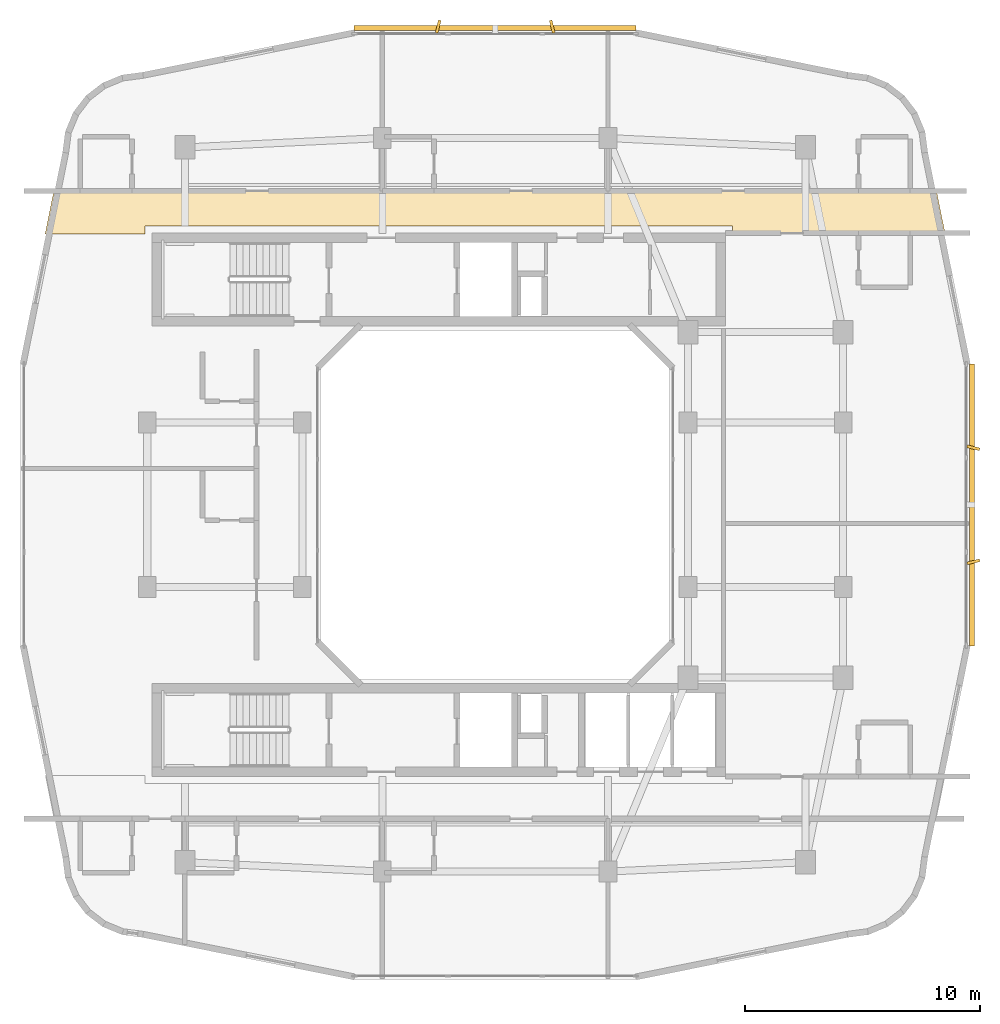
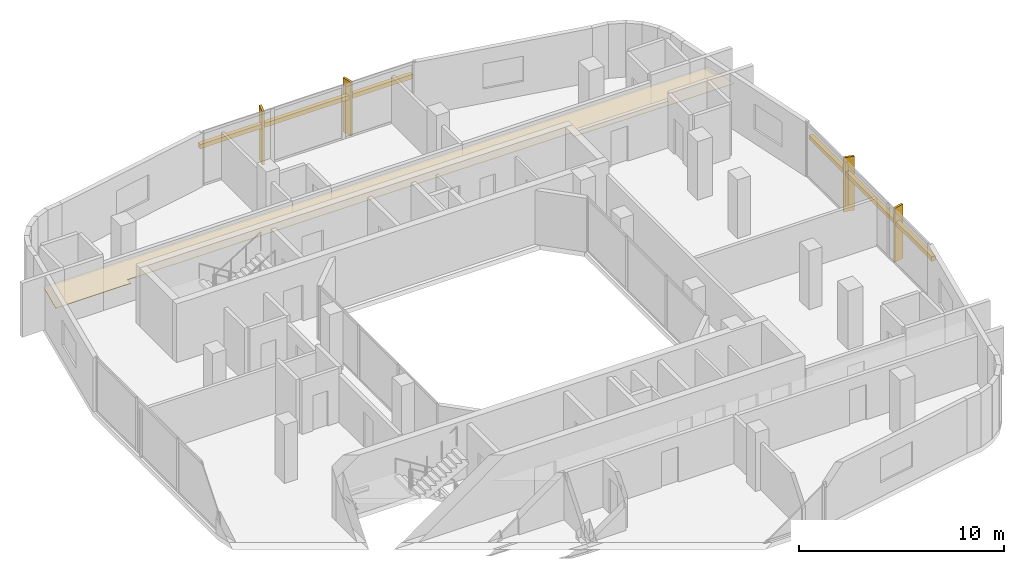
# One storey, part 14 of 14: 6 shading devices, 1 covering.
"""IFC4 building model written with IfcOpenShell, lengths in metres."""

from ifc_helpers import new_model, si_unit, derived_unit, direction, frame, origin, origin_2d, place, context, subcontext, project, spatial, polyline, rectangle, outline, extrude, material, layer, layer_set, type_object, element, save


model = new_model("IFC4")

# Units and contexts
model_context = context("Model", 3, precision=1e-05, world=origin(), true_north=direction((0.0, 1.0)))
body_context = subcontext(model_context, "Body", "Model", "MODEL_VIEW")
ifc_project = project(units=[si_unit("LENGTHUNIT", "METRE"), si_unit("AREAUNIT", "SQUARE_METRE"), si_unit("VOLUMEUNIT", "CUBIC_METRE"), si_unit("PLANEANGLEUNIT", "RADIAN"), si_unit("MASSUNIT", "GRAM", prefix="KILO"), derived_unit("THERMALTRANSMITTANCEUNIT", [(si_unit("POWERUNIT", "WATT"), 1), (si_unit("LENGTHUNIT", "METRE"), -2), (si_unit("THERMODYNAMICTEMPERATUREUNIT", "KELVIN"), -1)])], contexts=[model_context])

# Site, building, storey
site_placement = place(None, origin())
site = spatial("IfcSite", under=ifc_project, at=site_placement, CompositionType="ELEMENT")
building_placement = place(site_placement, origin())
building = spatial("IfcBuilding", under=site, at=building_placement, Name="Kivonza Crest Hotel", CompositionType="ELEMENT")
storey_placement = place(building_placement, frame((0.0, 0.0, 148.5)))
storey = spatial("IfcBuildingStorey", under=building, at=storey_placement, Name="L40", CompositionType="ELEMENT", Elevation=148.5)

# Covering
ifc_material_1 = material(Name="Moisture-resistant gypsum plasterboard ceiling", Category="gypsum")
ifc_layer = layer(ifc_material_1, 0.030029296875)
ifc_layer_set = layer_set([ifc_layer], Name="Moisture-resistant gypsum plasterboard ceiling")
covering_type = type_object("IfcCoveringType", Name="CV-CEIL-GYP", PredefinedType="CEILING", material=ifc_layer_set)
covering_placement = place(storey_placement, frame((0.0, 0.0, 2.449951171875)))
element("IfcCovering", 1, at=covering_placement, inside=storey, type_object=covering_type, Name="L40 Hotel North Guest Corridor suspended ceiling", PredefinedType="CEILING", context=body_context, shape_type="SweptSolid", body=[
    extrude(outline(polyline([(2.235107421875, 38.389892578125), (1.85791015625, 36.52001953125), (6.10009765625, 36.52001953125), (6.10009765625, 36.860107421875), (31.10009765625, 36.860107421875), (31.10009765625, 36.52001953125), (40.14208984375, 36.52001953125), (39.764892578125, 38.389892578125), (2.235107421875, 38.389892578125)])), origin(), (0.0, 0.0, 1.0), 0.030029296875),
])

# Shading devices
ifc_material_2 = material(Name="Kiln-fired Nairobi red-ochre terracotta", Category="masonry")
shading_device_type_1 = type_object("IfcShadingDeviceType", Name="SH-BAGUETTE-300", PredefinedType="USERDEFINED", material=ifc_material_2)
for number, where, z_axis, x_axis, name in (
    (2, (41.280029296875, 25.0, 2.1240234375), (0.0, 0.0, 1.0), (0.0, 1.0, 0.0), "L40 terracotta baguette screen CW-T1-L40-17"),
    (3, (21.0, 45.280029296875, 2.1240234375), (0.0, 0.0, 1.0), (-1.0, 0.0, 0.0), "L40 terracotta baguette screen CW-T1-L40-26"),
):
    element("IfcShadingDevice", number, at=place(storey_placement, frame(where, z_axis=z_axis, x_axis=x_axis)), inside=storey, type_object=shading_device_type_1, Name=name, ObjectType="BAGUETTE", PredefinedType="USERDEFINED", context=body_context, shape_type="SweptSolid", body=[
        extrude(rectangle(XDim=12.0, YDim=0.219970703125, at=origin_2d()), origin(), (0.0, 0.0, 1.0), 0.260009765625),
    ])
ifc_material_3 = material(Name="Kiln-fired terracotta over extruded aluminium spine", Category="masonry")
shading_device_type_2 = type_object("IfcShadingDeviceType", Name="SH-FIN-550", PredefinedType="USERDEFINED", material=ifc_material_3)
for number, where, z_axis, x_axis, name in (
    (4, (41.340087890625, 22.575927734375, 0.0), (0.0, 0.0, 1.0), (-0.2419218956, 0.970295726276, 0.0), "L40 vertical solar shading fin CW-T1-L40-17-1"),
    (5, (41.340087890625, 27.424072265625, 0.0), (0.0, 0.0, 1.0), (0.2419218956, 0.970295726276, 0.0), "L40 vertical solar shading fin CW-T1-L40-17-2"),
    (6, (23.424072265625, 45.340087890625, 0.0), (0.0, 0.0, 1.0), (-0.970295726276, -0.2419218956, 0.0), "L40 vertical solar shading fin CW-T1-L40-26-1"),
    (7, (18.575927734375, 45.340087890625, 0.0), (0.0, 0.0, 1.0), (-0.970295726276, 0.2419218956, 0.0), "L40 vertical solar shading fin CW-T1-L40-26-2"),
):
    element("IfcShadingDevice", number, at=place(storey_placement, frame(where, z_axis=z_axis, x_axis=x_axis)), inside=storey, type_object=shading_device_type_2, Name=name, ObjectType="FIN", PredefinedType="USERDEFINED", context=body_context, shape_type="SweptSolid", body=[
        extrude(rectangle(XDim=0.1201171875, YDim=0.550048828125, at=origin_2d()), origin(), (0.0, 0.0, 1.0), 3.219970703125),
    ])

save(model, "model.ifc")
